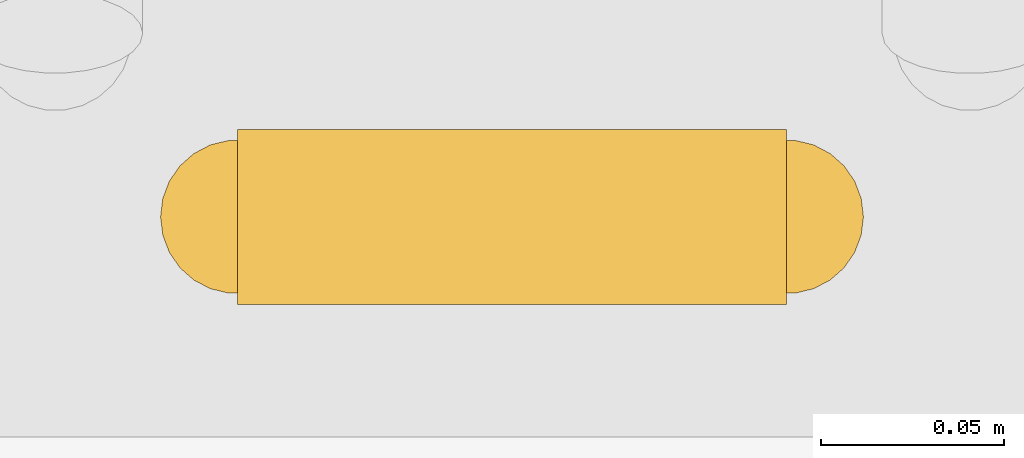
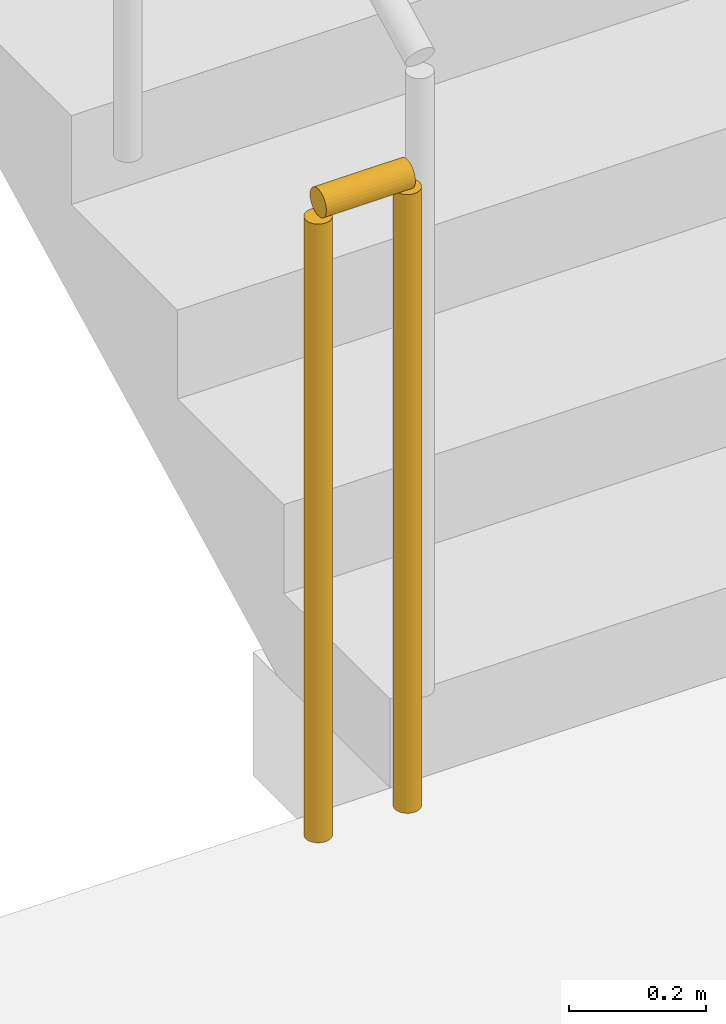
# One storey, part 13 of 18: 1 railing.
"""IFC4 building model written with IfcOpenShell, lengths in metres."""

from ifc_helpers import new_model, si_unit, direction, frame, origin, origin_2d, place, context, subcontext, project, spatial, circle, extrude, material, type_object, element, save


model = new_model("IFC4")

# Units and contexts
model_context = context("Model", 3, precision=1e-05, world=origin(), true_north=direction((0.0, 1.0)))
body_context = subcontext(model_context, "Body", "Model", "MODEL_VIEW")
ifc_project = project(units=[si_unit("LENGTHUNIT", "METRE"), si_unit("AREAUNIT", "SQUARE_METRE"), si_unit("VOLUMEUNIT", "CUBIC_METRE"), si_unit("PLANEANGLEUNIT", "RADIAN"), si_unit("MASSUNIT", "GRAM", prefix="KILO")], contexts=[model_context])

# Site, building, storey
site_placement = place(None, origin())
site = spatial("IfcSite", under=ifc_project, at=site_placement, CompositionType="ELEMENT")
building_placement = place(site_placement, origin())
building = spatial("IfcBuilding", under=site, at=building_placement, Name="Vaeldorn Concourse Tower", CompositionType="ELEMENT")
storey_placement = place(building_placement, frame((0.0, 0.0, 261.199951171875)))
storey = spatial("IfcBuildingStorey", under=building, at=storey_placement, Name="L67", CompositionType="ELEMENT", Elevation=261.199951171875)

# Railing
ifc_material = material(Name="Anodised Bronze Aluminium", Category="aluminium")
railing_type = type_object("IfcRailingType", Name="RL-STAIR-GUARD", PredefinedType="GUARDRAIL", material=ifc_material)
railing_placement = place(storey_placement, frame((16.800048828125, 41.550048828125, 0.0)))
element("IfcRailing", 1, at=railing_placement, inside=storey, type_object=railing_type, Name="L67 ST-1 stair guard 4", PredefinedType="GUARDRAIL", context=body_context, shape_type="SweptSolid", body=[
    extrude(circle(Radius=0.02392578125, at=origin_2d()), frame((0.0, 0.0, 1.1259765625), z_axis=(-1.0, 0.0, 0.0), x_axis=(0.0, -1.0, 0.0)), (0.0, 0.0, 1.0), 0.150146484375),
    extrude(circle(Radius=0.02099609375, at=origin_2d()), origin(), (0.0, 0.0, 1.0), 1.101806640625),
    extrude(circle(Radius=0.02099609375, at=origin_2d()), frame((-0.150146484375, 0.0, 0.0)), (0.0, 0.0, 1.0), 1.101806640625),
])

save(model, "model.ifc")
